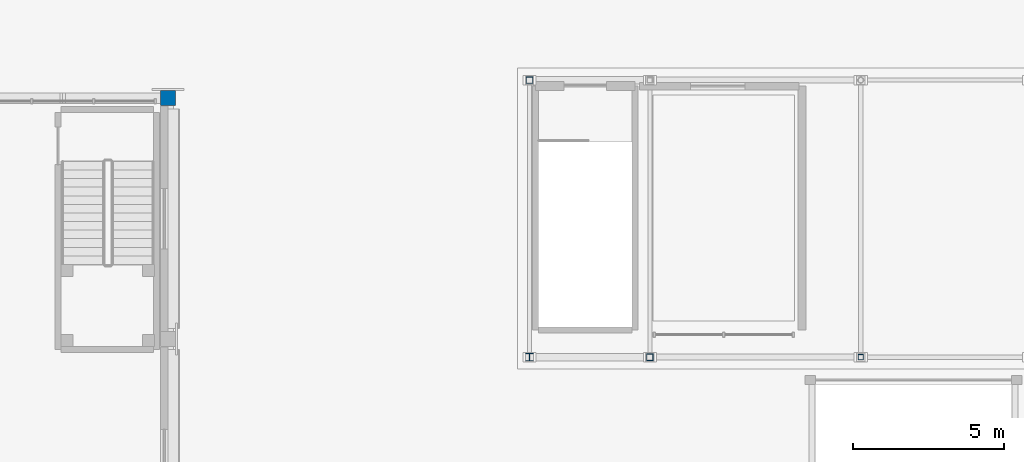
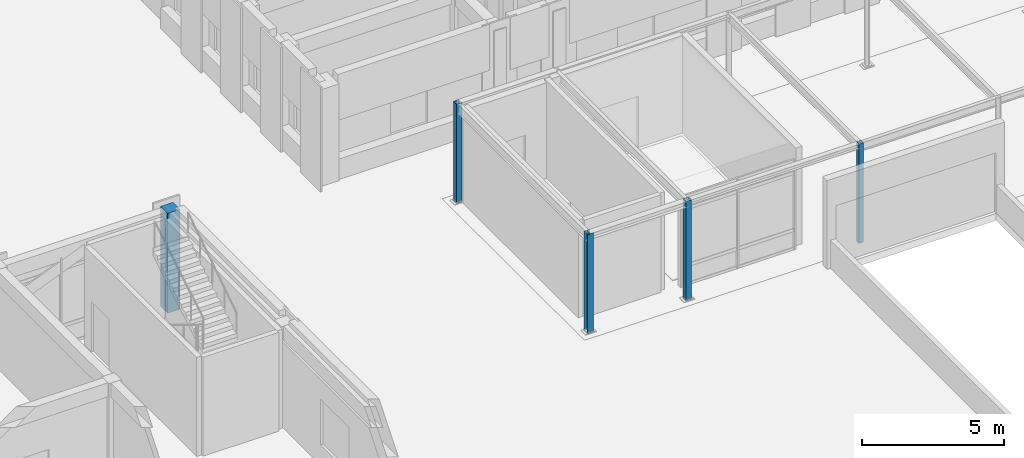
# One storey, part 9 of 135: 5 columns.
"""IFC4 building model written with IfcOpenShell, lengths in metres."""

from ifc_helpers import new_model, si_unit, direction, frame, origin, origin_2d, place, context, subcontext, project, spatial, rectangle, hollow_rectangle, i_section, extrude, material, material_profile, profile_set, type_object, element, save


model = new_model("IFC4")

# Units and contexts
model_context = context("Model", 3, precision=1e-05, world=origin(), true_north=direction((0.0, 1.0)))
body_context = subcontext(model_context, "Body", "Model", "MODEL_VIEW")
ifc_project = project(units=[si_unit("LENGTHUNIT", "METRE"), si_unit("AREAUNIT", "SQUARE_METRE"), si_unit("VOLUMEUNIT", "CUBIC_METRE"), si_unit("PLANEANGLEUNIT", "RADIAN"), si_unit("MASSUNIT", "GRAM", prefix="KILO")], contexts=[model_context])

# Site, building, storey
site_placement = place(None, origin())
site = spatial("IfcSite", under=ifc_project, at=site_placement, CompositionType="ELEMENT")
building_placement = place(site_placement, origin())
building = spatial("IfcBuilding", under=site, at=building_placement, Name="Kiranvali Square Residences", CompositionType="ELEMENT")
storey_placement = place(building_placement, origin())
storey = spatial("IfcBuildingStorey", under=building, at=storey_placement, Name="L00", CompositionType="ELEMENT", Elevation=0.0)

# Columns
ifc_material_1 = material(Name="Concrete M40 (40 MPa)", Category="concrete")
ifc_material_profile_1 = material_profile(ifc_material_1, rectangle(XDim=0.5, YDim=0.5, at=origin_2d()), Name="RC 500x500")
ifc_profile_set_1 = profile_set([ifc_material_profile_1], Name="Concrete M40 (40 MPa)")
column_type_1 = type_object("IfcColumnType", Name="COL-M40-500", PredefinedType="COLUMN", material=ifc_profile_set_1)
column_1_placement = place(storey_placement, frame((130.0, 64.0, 0.0), z_axis=(0.0, 0.0, 1.0), x_axis=(1.0, 0.0, 0.0)))
element("IfcColumn", 1, at=column_1_placement, inside=storey, type_object=column_type_1, Name="Southeast Square Retail Pavilion L00 column 4-3", PredefinedType="COLUMN", context=body_context, shape_type="SweptSolid", body=[
    extrude(rectangle(XDim=0.5, YDim=0.5, at=origin_2d()), origin(), (0.0, 0.0, 1.0), 4.280029296875),
])
ifc_material_2 = material(Name="Structural steel E350", Category="steel")
ifc_material_profile_2 = material_profile(ifc_material_2, i_section(OverallWidth=0.25, OverallDepth=0.25, WebThickness=0.0087890625, FlangeThickness=0.009765625, at=origin_2d()), Name="ISHB 250")
ifc_profile_set_2 = profile_set([ifc_material_profile_2], Name="Structural steel E350")
column_type_2 = type_object("IfcColumnType", Name="SCOL-ISHB250", PredefinedType="COLUMN", material=ifc_profile_set_2)
column_2_placement = place(storey_placement, frame((142.0, 55.39990234375, 0.0), z_axis=(0.0, 0.0, 1.0), x_axis=(1.0, 0.0, 0.0)))
element("IfcColumn", 2, at=column_2_placement, inside=storey, type_object=column_type_2, Name="East Street Ramp and Arcade Portal steel column 1.1", PredefinedType="COLUMN", context=body_context, shape_type="SweptSolid", body=[
    extrude(i_section(OverallWidth=0.25, OverallDepth=0.25, WebThickness=0.0087890625, FlangeThickness=0.009765625, at=origin_2d()), origin(), (0.0, 0.0, 1.0), 4.260009765625),
])
ifc_material_profile_3 = material_profile(ifc_material_2, hollow_rectangle(XDim=0.179931640625, YDim=0.179931640625, WallThickness=0.008056640625, at=origin_2d()), Name="SHS 180x180x8.0")
ifc_profile_set_3 = profile_set([ifc_material_profile_3], Name="Structural steel E350")
column_type_3 = type_object("IfcColumnType", Name="SCOL-SHS180", PredefinedType="COLUMN", material=ifc_profile_set_3)
column_3_placement = place(storey_placement, frame((153.0, 55.39990234375, 0.0), z_axis=(0.0, 0.0, 1.0), x_axis=(1.0, 0.0, 0.0)))
element("IfcColumn", 3, at=column_3_placement, inside=storey, type_object=column_type_3, Name="East Street Ramp and Arcade Portal steel column 3.1", PredefinedType="COLUMN", context=body_context, shape_type="SweptSolid", body=[
    extrude(hollow_rectangle(XDim=0.179931640625, YDim=0.179931640625, WallThickness=0.008056640625, at=origin_2d()), origin(), (0.0, 0.0, 1.0), 4.260009765625),
])
ifc_material_profile_4 = material_profile(ifc_material_2, hollow_rectangle(XDim=0.219970703125, YDim=0.219970703125, WallThickness=0.008056640625, at=origin_2d()), Name="SHS 220x220x8.0")
ifc_profile_set_4 = profile_set([ifc_material_profile_4], Name="Structural steel E350")
column_type_4 = type_object("IfcColumnType", Name="SCOL-SHS220", PredefinedType="COLUMN", material=ifc_profile_set_4)
for number, where, z_axis, x_axis, name in (
    (4, (142.0, 64.60009765625, 0.0), (0.0, 0.0, 1.0), (1.0, 0.0, 0.0), "East Street Ramp and Arcade Portal steel column 1.2"),
    (5, (146.0, 55.39990234375, 0.0), (0.0, 0.0, 1.0), (1.0, 0.0, 0.0), "East Street Ramp and Arcade Portal steel column 2.1"),
):
    element("IfcColumn", number, at=place(storey_placement, frame(where, z_axis=z_axis, x_axis=x_axis)), inside=storey, type_object=column_type_4, Name=name, PredefinedType="COLUMN", context=body_context, shape_type="SweptSolid", body=[
        extrude(hollow_rectangle(XDim=0.219970703125, YDim=0.219970703125, WallThickness=0.008056640625, at=origin_2d()), origin(), (0.0, 0.0, 1.0), 4.260009765625),
    ])

save(model, "model.ifc")
